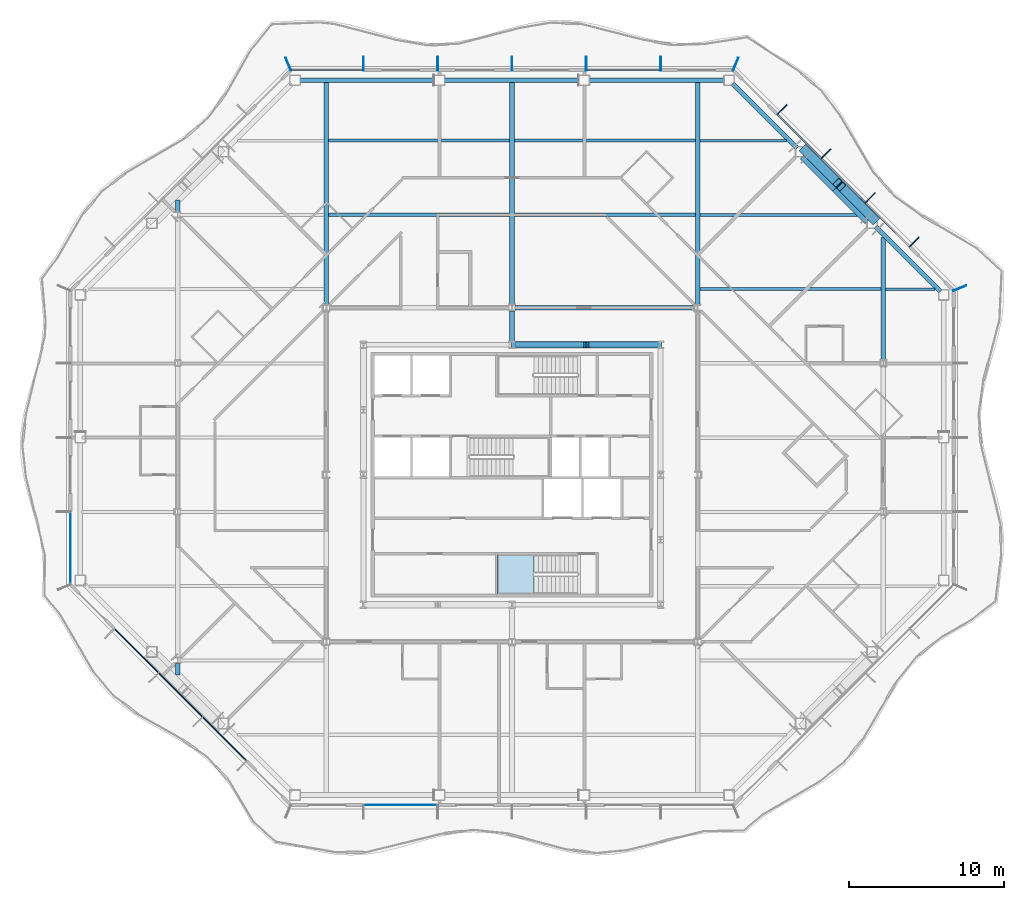
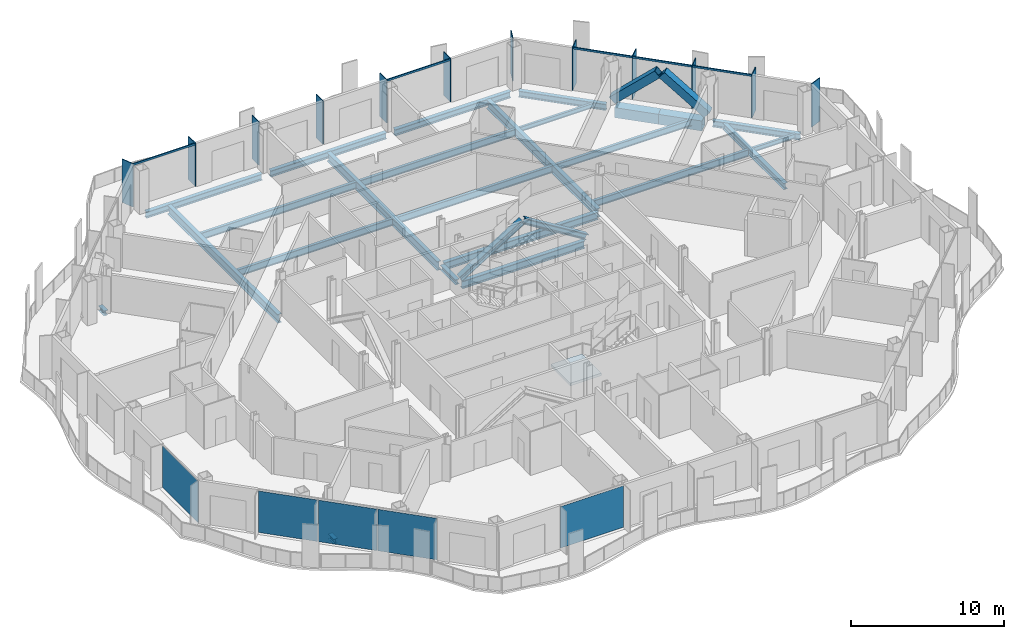
# One storey, part 5 of 21: 24 beams, 21 members, 5 plates, 1 slab, 7 elements without a shape of their own.
"""IFC4 building model written with IfcOpenShell, lengths in metres."""

import ifcopenshell
import ifcopenshell.guid

model = None  # the IFC model being written
_history = None  # IfcOwnerHistory: only IFC2X3 demands one
_inside = {}  # id of a spatial element -> (the spatial element, [elements in it])
_under = {}  # id of a project, library or spatial element -> (it, [spatial elements below it])
_declared = {}  # id of a project -> (the project, [libraries it declares])
_typed = {}  # id of a type object -> (the type object, [elements of that type])
_made_of = {}  # id of a material, layer set ... -> (it, [elements and type objects made of it])


def new_model(schema):
    """Start an empty IFC model of exactly this schema.

    Asked for "IFC4X3", IfcOpenShell would pick the latest addendum, in which some entities
    have other attributes; the version numbers below select the first issue.
    IFC2X3 requires an IfcOwnerHistory on every rooted entity: one is made here for all.
    """
    global model, _history
    if schema == "IFC4X3":
        model = ifcopenshell.file(schema_version=(4, 3, 0, 0))
    else:
        model = ifcopenshell.file(schema=schema)
    _inside.clear()
    _under.clear()
    _declared.clear()
    _typed.clear()
    _made_of.clear()
    _history = None
    if model.schema == "IFC2X3":
        org = make("IfcOrganization", Name="unknown")
        user = make(
            "IfcPersonAndOrganization",
            ThePerson=make("IfcPerson", FamilyName="unknown"),
            TheOrganization=org,
        )
        app = make(
            "IfcApplication",
            ApplicationDeveloper=org,
            Version="unknown",
            ApplicationFullName="unknown",
            ApplicationIdentifier="unknown",
        )
        _history = make(
            "IfcOwnerHistory",
            OwningUser=user,
            OwningApplication=app,
            ChangeAction="ADDED",
            CreationDate=0,
        )
    return model


def make(cls, **values):
    """One entity of the class cls with the attributes given. An attribute that is None is left unset."""
    return model.create_entity(
        cls, **{name: value for name, value in values.items() if value is not None}
    )


def rooted(cls, **values):
    """An entity with a GlobalId (a new one), such as an element, a storey or a relation."""
    return make(cls, GlobalId=ifcopenshell.guid.new(), OwnerHistory=_history, **values)


def si_unit(unit_type, name, prefix=None):
    """IfcSIUnit, for example si_unit("LENGTHUNIT", "METRE", prefix="MILLI")."""
    return make("IfcSIUnit", UnitType=unit_type, Prefix=prefix, Name=name)


def assignment(units):
    """IfcUnitAssignment: the units of a project."""
    return None if units is None else make("IfcUnitAssignment", Units=units)


def point(xyz):
    """IfcCartesianPoint."""
    return None if xyz is None else make("IfcCartesianPoint", Coordinates=xyz)


def direction(xyz):
    """IfcDirection."""
    return None if xyz is None else make("IfcDirection", DirectionRatios=xyz)


def frame(location, z_axis=None, x_axis=None):
    """IfcAxis2Placement3D, a coordinate frame: its origin and axes. An axis left out is left unset."""
    return make(
        "IfcAxis2Placement3D",
        Location=point(location),
        Axis=direction(z_axis),
        RefDirection=direction(x_axis),
    )


def frame_2d(location, x_axis=None):
    """IfcAxis2Placement2D, a coordinate frame in the plane: its origin and x axis."""
    return make(
        "IfcAxis2Placement2D", Location=point(location), RefDirection=direction(x_axis)
    )


def origin():
    """The frame at (0, 0, 0) with its axes left unset."""
    return frame((0.0, 0.0, 0.0))


def origin_2d():
    """The frame at (0, 0) in the plane with its x axis left unset."""
    return frame_2d((0.0, 0.0))


def place(relative_to, where):
    """IfcLocalPlacement: puts the frame where relative to a parent placement (None: the world)."""
    return make(
        "IfcLocalPlacement", PlacementRelTo=relative_to, RelativePlacement=where
    )


def context(
    kind, dimensions, precision=None, world=None, true_north=None, identifier=None
):
    """IfcGeometricRepresentationContext, for example the 3D "Model" context."""
    return make(
        "IfcGeometricRepresentationContext",
        ContextIdentifier=identifier,
        ContextType=kind,
        CoordinateSpaceDimension=dimensions,
        Precision=precision,
        WorldCoordinateSystem=world,
        TrueNorth=true_north,
    )


def subcontext(parent, identifier, kind, view, scale=None):
    """IfcGeometricRepresentationSubContext, for example "Body" below "Model"."""
    return make(
        "IfcGeometricRepresentationSubContext",
        ContextIdentifier=identifier,
        ContextType=kind,
        ParentContext=parent,
        TargetScale=scale,
        TargetView=view,
    )


def project(units=None, contexts=None):
    """IfcProject with its units and contexts."""
    return rooted(
        "IfcProject",
        Name="project",
        RepresentationContexts=contexts,
        UnitsInContext=assignment(units),
    )


def spatial(cls, under=None, at=None, **own):
    """A site, building, storey or space (cls), placed at a placement, below another one or the project."""
    s = rooted(cls, ObjectPlacement=at, **own)
    if under is not None:
        _under.setdefault(under.id(), (under, []))[1].append(s)
    return s


def polyline(points):
    """IfcPolyline through the points."""
    return make("IfcPolyline", Points=[point(p) for p in points])


def profile(cls, at=None, kind="AREA", **sizes):
    """A parametric profile (cls). Its sizes go by their IFC names, for example OverallWidth=200.0."""
    return make(cls, ProfileType=kind, Position=at, **sizes)


def rectangle(**sizes):
    """IfcRectangleProfileDef."""
    return profile("IfcRectangleProfileDef", **sizes)


def hollow_rectangle(**sizes):
    """IfcRectangleHollowProfileDef."""
    return profile("IfcRectangleHollowProfileDef", **sizes)


def i_section(**sizes):
    """IfcIShapeProfileDef."""
    return profile("IfcIShapeProfileDef", **sizes)


def outline(outer, holes=None, kind="AREA"):
    """IfcArbitraryClosedProfileDef: a profile drawn as a closed curve; with holes, ...WithVoids."""
    if holes is None:
        return make("IfcArbitraryClosedProfileDef", ProfileType=kind, OuterCurve=outer)
    return make(
        "IfcArbitraryProfileDefWithVoids",
        ProfileType=kind,
        OuterCurve=outer,
        InnerCurves=holes,
    )


def extrude(swept, where, along, depth):
    """IfcExtrudedAreaSolid: the profile swept, set in the frame where, extruded along a direction by depth."""
    return make(
        "IfcExtrudedAreaSolid",
        SweptArea=swept,
        Position=where,
        ExtrudedDirection=direction(along),
        Depth=depth,
    )


def shape(context_of_items, identifier, shape_type, items):
    """IfcShapeRepresentation: the items that make up one representation, for example the "Body"."""
    return make(
        "IfcShapeRepresentation",
        ContextOfItems=context_of_items,
        RepresentationIdentifier=identifier,
        RepresentationType=shape_type,
        Items=items,
    )


def material(Name=None, Category=None):
    """IfcMaterial."""
    return make("IfcMaterial", Name=Name, Category=Category)


def layer(
    of_material, thickness, ventilated=None, Name=None, Category=None, Priority=None
):
    """IfcMaterialLayer: one layer of a wall or slab, of a material (None: an air gap)."""
    return make(
        "IfcMaterialLayer",
        Material=of_material,
        LayerThickness=thickness,
        IsVentilated=ventilated,
        Name=Name,
        Category=Category,
        Priority=Priority,
    )


def layer_set(layers, Name=None):
    """IfcMaterialLayerSet."""
    return make("IfcMaterialLayerSet", MaterialLayers=layers, LayerSetName=Name)


def material_profile(
    of_material, cross_section, Name=None, Category=None, Priority=None
):
    """IfcMaterialProfile: a cross section and its material."""
    return make(
        "IfcMaterialProfile",
        Name=Name,
        Material=of_material,
        Profile=cross_section,
        Priority=Priority,
        Category=Category,
    )


def profile_set(profiles, Name=None, composite=None):
    """IfcMaterialProfileSet."""
    return make(
        "IfcMaterialProfileSet",
        Name=Name,
        MaterialProfiles=profiles,
        CompositeProfile=composite,
    )


def made_of(thing, what):
    """Note that an element or type object is made of a material, layer set ...; save() writes the relation."""
    if what is not None:
        _made_of.setdefault(what.id(), (what, []))[1].append(thing)
    return thing


def type_object(cls, material=None, **own):
    """A type object (cls), such as IfcWallType, which elements share."""
    return made_of(rooted(cls, **own), material)


def element(
    cls,
    number,
    at=None,
    inside=None,
    cuts=None,
    type_object=None,
    material=None,
    context=None,
    identifier="Body",
    shape_type=None,
    held_by="IfcProductDefinitionShape",
    body=None,
    shapes=None,
    **own,
):
    """One element of the class cls, such as IfcWall. Its Tag is "e" and its number.

    at: its placement. inside: the storey or other place that contains it. cuts: it is an
    opening in that element (IfcRelVoidsElement). A single representation is given by context,
    identifier, shape_type and body (its items); several are given by shapes. held_by: the class
    of the entity that holds the representations. save() writes the other relations.
    """
    e = rooted(cls, Tag="e%d" % number, ObjectPlacement=at, **own)
    if body is not None:
        shapes = [shape(context, identifier, shape_type, body)]
    if shapes is not None:
        e.Representation = make(held_by, Representations=shapes)
    if inside is not None:
        _inside.setdefault(inside.id(), (inside, []))[1].append(e)
    if cuts is not None:
        rooted(
            "IfcRelVoidsElement", RelatingBuildingElement=cuts, RelatedOpeningElement=e
        )
    if type_object is not None:
        _typed.setdefault(type_object.id(), (type_object, []))[1].append(e)
    return made_of(e, material)


def aggregate(whole, parts):
    """IfcRelAggregates: a whole, such as a stair, and the parts it consists of."""
    return rooted("IfcRelAggregates", RelatingObject=whole, RelatedObjects=parts)


def save(model, path):
    """Write the relations noted so far, then the file.

    IfcRelAggregates (storeys below a building ...), IfcRelContainedInSpatialStructure (elements
    in a storey), IfcRelDefinesByType, IfcRelAssociatesMaterial and IfcRelDeclares: one each for
    every whole, place, type object, material and project.
    """
    for whole, parts in _under.values():
        aggregate(whole, parts)
    for where, things in _inside.values():
        rooted(
            "IfcRelContainedInSpatialStructure",
            RelatedElements=things,
            RelatingStructure=where,
        )
    for kind, things in _typed.values():
        rooted("IfcRelDefinesByType", RelatedObjects=things, RelatingType=kind)
    for what, things in _made_of.values():
        rooted("IfcRelAssociatesMaterial", RelatedObjects=things, RelatingMaterial=what)
    for by, libraries in _declared.values():
        rooted("IfcRelDeclares", RelatingContext=by, RelatedDefinitions=libraries)
    model.write(path)


model = new_model("IFC4")

# Units and contexts
model_context = context("Model", 3, precision=1e-05, world=origin(), true_north=direction((0.0, 1.0)))
body_context = subcontext(model_context, "Body", "Model", "MODEL_VIEW")
ifc_project = project(units=[si_unit("LENGTHUNIT", "METRE"), si_unit("AREAUNIT", "SQUARE_METRE"), si_unit("VOLUMEUNIT", "CUBIC_METRE"), si_unit("PLANEANGLEUNIT", "RADIAN"), si_unit("MASSUNIT", "GRAM", prefix="KILO")], contexts=[model_context])

# Site, building, storey
site_placement = place(None, origin())
site = spatial("IfcSite", under=ifc_project, at=site_placement, CompositionType="ELEMENT")
building_placement = place(site_placement, origin())
building = spatial("IfcBuilding", under=site, at=building_placement, Name="Cairn Pilgrim Tower", CompositionType="ELEMENT")
storey_placement = place(building_placement, frame((0.0, 0.0, 132.60009765625)))
storey = spatial("IfcBuildingStorey", under=building, at=storey_placement, Name="L32", CompositionType="ELEMENT", Elevation=132.60009765625)

# Members
ifc_material_1 = material(Name="Structural steel S460M", Category="steel")
ifc_material_profile_1 = material_profile(ifc_material_1, hollow_rectangle(XDim=0.60009765625, YDim=0.60009765625, WallThickness=0.034912109375, at=origin_2d()), Name="BOX 600x600x35")
ifc_profile_set_1 = profile_set([ifc_material_profile_1], Name="Structural steel S460M")
member_type_1 = type_object("IfcMemberType", Name="BOX 600x600x35 BRACE", PredefinedType="BRACE", material=ifc_profile_set_1)
member_1_placement = place(storey_placement, frame((30.613525390625, 18.888427734375, 0.14990234375), z_axis=(-0.53553019501, 0.53553019501, 0.653004456696), x_axis=(-0.707106781187, -0.707106781187, 0.0)))
element("IfcMember", 1, at=member_1_placement, inside=storey, type_object=member_type_1, Name="XB-NE2-NE3-1", PredefinedType="BRACE", context=body_context, shape_type="SweptSolid", body=[
    extrude(hollow_rectangle(XDim=0.60009765625, YDim=0.60009765625, WallThickness=0.034912109375, at=origin_2d()), origin(), (0.0, 0.0, 1.0), 4.035888671875),
])
member_2_placement = place(storey_placement, frame((26.08837890625, 23.41357421875, 0.14990234375), z_axis=(0.535573335815, -0.535512846393, 0.652983302476), x_axis=(0.707066846316, 0.707146713802, 0.0)))
element("IfcMember", 2, at=member_2_placement, inside=storey, type_object=member_type_1, Name="XB-NE2-NE3-2", PredefinedType="BRACE", context=body_context, shape_type="SweptSolid", body=[
    extrude(hollow_rectangle(XDim=0.60009765625, YDim=0.60009765625, WallThickness=0.034912109375, at=origin_2d()), origin(), (0.0, 0.0, 1.0), 4.0361328125),
])

# Beams
ifc_material_2 = material(Name="Structural steel S355J2", Category="steel")
ifc_material_profile_2 = material_profile(ifc_material_2, hollow_rectangle(XDim=0.699951171875, YDim=0.800048828125, WallThickness=0.0400390625, at=origin_2d()), Name="BOX 700x800x40")
ifc_profile_set_2 = profile_set([ifc_material_profile_2], Name="Structural steel S355J2")
beam_type_1 = type_object("IfcBeamType", Name="BOX 700x800x40 RING GIRDER", PredefinedType="SPANDREL", material=ifc_profile_set_2)
for number, where, z_axis, x_axis, name in (
    (3, (30.2529296875, 18.874267578125, -0.550048828125), (-0.707106781187, 0.707106781187, 0.0), (-0.707106781187, -0.707106781187, 0.0), "RG2-NE2-NE3-1"),
    (4, (28.16357421875, 20.963623046875, -0.550048828125), (-0.707106781187, 0.707106781187, 0.0), (-0.707106781187, -0.707106781187, 0.0), "RG2-NE2-NE3-2"),
):
    element("IfcBeam", number, at=place(storey_placement, frame(where, z_axis=z_axis, x_axis=x_axis)), inside=storey, type_object=beam_type_1, Name=name, PredefinedType="SPANDREL", context=body_context, shape_type="SweptSolid", body=[
        extrude(hollow_rectangle(XDim=0.699951171875, YDim=0.800048828125, WallThickness=0.0400390625, at=origin_2d()), origin(), (0.0, 0.0, 1.0), 2.954833984375),
    ])

# Curtain wall, members
ifc_material_3 = material(Name="Aluminium alloy 6063-T6 bronze anodised with Bronze tinted laminated low-E glass 8+16+8.8", Category="aluminium")
curtain_wall_type_1 = type_object("IfcCurtainWallType", Name="CHAMFER CORNER CURTAIN WALL", PredefinedType="NOTDEFINED", material=ifc_material_3)
curtain_wall_1_placement = place(storey_placement, origin())
curtain_wall_1 = element("IfcCurtainWall", 5, at=curtain_wall_1_placement, inside=storey, type_object=curtain_wall_type_1, Name="Chamfer Corner Curtain Wall NE", PredefinedType="NOTDEFINED")
ifc_material_4 = material(Name="Aluminium alloy 6063-T6 bronze anodised", Category="aluminium")
ifc_material_profile_3 = material_profile(ifc_material_4, rectangle(XDim=0.89990234375, YDim=0.06005859375, at=origin_2d()), Name="FIN MULLION 60x900 BRONZE")
ifc_profile_set_3 = profile_set([ifc_material_profile_3], Name="Aluminium alloy 6063-T6 bronze anodised")
member_type_2 = type_object("IfcMemberType", Name="FIN MULLION 60x900 BRONZE", PredefinedType="MULLION", material=ifc_profile_set_3)
member_3_placement = place(storey_placement, frame((36.137939453125, 14.457275390625, 0.0), z_axis=(0.0, 0.0, 1.0), x_axis=(0.923879532511, 0.382683432365, 0.0)))
member_3 = element("IfcMember", 6, at=member_3_placement, type_object=member_type_2, Name="Fin mullion NE1", PredefinedType="MULLION", context=body_context, shape_type="SweptSolid", body=[
    extrude(rectangle(XDim=0.89990234375, YDim=0.06005859375, at=origin_2d()), origin(), (0.0, 0.0, 1.0), 3.449951171875),
])
member_4_placement = place(storey_placement, frame((33.1962890625, 17.444091796875, 0.0), z_axis=(0.0, 0.0, 1.0), x_axis=(0.707106781187, 0.707106781187, 0.0)))
member_4 = element("IfcMember", 7, at=member_4_placement, type_object=member_type_2, Name="Fin mullion NE2", PredefinedType="MULLION", context=body_context, shape_type="SweptSolid", body=[
    extrude(rectangle(XDim=0.89990234375, YDim=0.06005859375, at=origin_2d()), origin(), (0.0, 0.0, 1.0), 3.449951171875),
])
member_5_placement = place(storey_placement, frame((30.345458984375, 20.294921875, 0.0), z_axis=(0.0, 0.0, 1.0), x_axis=(0.707106781187, 0.707106781187, 0.0)))
member_5 = element("IfcMember", 8, at=member_5_placement, type_object=member_type_2, Name="Fin mullion NE3", PredefinedType="MULLION", context=body_context, shape_type="SweptSolid", body=[
    extrude(rectangle(XDim=0.89990234375, YDim=0.06005859375, at=origin_2d()), origin(), (0.0, 0.0, 1.0), 3.449951171875),
])
member_6_placement = place(storey_placement, frame((27.494873046875, 23.1455078125, 0.0), z_axis=(0.0, 0.0, 1.0), x_axis=(0.707106781187, 0.707106781187, 0.0)))
member_6 = element("IfcMember", 9, at=member_6_placement, type_object=member_type_2, Name="Fin mullion NE4", PredefinedType="MULLION", context=body_context, shape_type="SweptSolid", body=[
    extrude(rectangle(XDim=0.89990234375, YDim=0.06005859375, at=origin_2d()), origin(), (0.0, 0.0, 1.0), 3.449951171875),
])
member_7_placement = place(storey_placement, frame((24.64404296875, 25.996337890625, 0.0), z_axis=(0.0, 0.0, 1.0), x_axis=(0.707106781187, 0.707106781187, 0.0)))
member_7 = element("IfcMember", 10, at=member_7_placement, type_object=member_type_2, Name="Fin mullion NE5", PredefinedType="MULLION", context=body_context, shape_type="SweptSolid", body=[
    extrude(rectangle(XDim=0.89990234375, YDim=0.06005859375, at=origin_2d()), origin(), (0.0, 0.0, 1.0), 3.449951171875),
])

curtain_wall_type_2 = type_object("IfcCurtainWallType", Name="TOWER STICK CURTAIN WALL NS", PredefinedType="NOTDEFINED", material=ifc_material_3)
curtain_wall_2_placement = place(storey_placement, origin())
curtain_wall_2 = element("IfcCurtainWall", 11, at=curtain_wall_2_placement, inside=storey, type_object=curtain_wall_type_2, Name="Tower Stick Curtain Wall Ns N", PredefinedType="NOTDEFINED")
member_8_placement = place(storey_placement, frame((21.6572265625, 28.93798828125, 0.0), z_axis=(0.0, 0.0, 1.0), x_axis=(0.382683432365, 0.923879532511, 0.0)))
member_8 = element("IfcMember", 12, at=member_8_placement, type_object=member_type_2, Name="Fin mullion N1", PredefinedType="MULLION", context=body_context, shape_type="SweptSolid", body=[
    extrude(rectangle(XDim=0.89990234375, YDim=0.06005859375, at=origin_2d()), origin(), (0.0, 0.0, 1.0), 3.449951171875),
])
member_9_placement = place(storey_placement, frame((16.800048828125, 28.969970703125, 0.0), z_axis=(0.0, 0.0, 1.0), x_axis=(0.0, 1.0, 0.0)))
member_9 = element("IfcMember", 13, at=member_9_placement, type_object=member_type_2, Name="Fin mullion N2", PredefinedType="MULLION", context=body_context, shape_type="SweptSolid", body=[
    extrude(rectangle(XDim=0.89990234375, YDim=0.06005859375, at=origin_2d()), origin(), (0.0, 0.0, 1.0), 3.449951171875),
])
member_10_placement = place(storey_placement, frame((12.0, 28.969970703125, 0.0), z_axis=(0.0, 0.0, 1.0), x_axis=(0.0, 1.0, 0.0)))
member_10 = element("IfcMember", 14, at=member_10_placement, type_object=member_type_2, Name="Fin mullion N3", PredefinedType="MULLION", context=body_context, shape_type="SweptSolid", body=[
    extrude(rectangle(XDim=0.89990234375, YDim=0.06005859375, at=origin_2d()), origin(), (0.0, 0.0, 1.0), 3.449951171875),
])
member_11_placement = place(storey_placement, frame((7.199951171875, 28.969970703125, 0.0), z_axis=(0.0, 0.0, 1.0), x_axis=(0.0, 1.0, 0.0)))
member_11 = element("IfcMember", 15, at=member_11_placement, type_object=member_type_2, Name="Fin mullion N4", PredefinedType="MULLION", context=body_context, shape_type="SweptSolid", body=[
    extrude(rectangle(XDim=0.89990234375, YDim=0.06005859375, at=origin_2d()), origin(), (0.0, 0.0, 1.0), 3.449951171875),
])
member_12_placement = place(storey_placement, frame((2.39990234375, 28.969970703125, 0.0), z_axis=(0.0, 0.0, 1.0), x_axis=(0.0, 1.0, 0.0)))
member_12 = element("IfcMember", 16, at=member_12_placement, type_object=member_type_2, Name="Fin mullion N5", PredefinedType="MULLION", context=body_context, shape_type="SweptSolid", body=[
    extrude(rectangle(XDim=0.89990234375, YDim=0.06005859375, at=origin_2d()), origin(), (0.0, 0.0, 1.0), 3.449951171875),
])
member_13_placement = place(storey_placement, frame((-2.39990234375, 28.969970703125, 0.0), z_axis=(0.0, 0.0, 1.0), x_axis=(0.0, 1.0, 0.0)))
member_13 = element("IfcMember", 17, at=member_13_placement, type_object=member_type_2, Name="Fin mullion N6", PredefinedType="MULLION", context=body_context, shape_type="SweptSolid", body=[
    extrude(rectangle(XDim=0.89990234375, YDim=0.06005859375, at=origin_2d()), origin(), (0.0, 0.0, 1.0), 3.449951171875),
])

# Curtain wall, member
curtain_wall_3_placement = place(storey_placement, origin())
curtain_wall_3 = element("IfcCurtainWall", 18, at=curtain_wall_3_placement, inside=storey, type_object=curtain_wall_type_1, Name="Chamfer Corner Curtain Wall NW", PredefinedType="NOTDEFINED")
member_14_placement = place(storey_placement, frame((-7.257080078125, 28.93798828125, 0.0), z_axis=(0.0, 0.0, 1.0), x_axis=(-0.382683432365, 0.923879532511, 0.0)))
member_14 = element("IfcMember", 19, at=member_14_placement, type_object=member_type_2, Name="Fin mullion NW1", PredefinedType="MULLION", context=body_context, shape_type="SweptSolid", body=[
    extrude(rectangle(XDim=0.89990234375, YDim=0.06005859375, at=origin_2d()), origin(), (0.0, 0.0, 1.0), 3.449951171875),
])
aggregate(curtain_wall_3, [member_14])

# Members
ifc_material_profile_4 = material_profile(ifc_material_1, i_section(OverallWidth=0.408935546875, OverallDepth=0.425048828125, WebThickness=0.03271484375, FlangeThickness=0.052490234375, FilletRadius=0.014892578125, at=origin_2d()), Name="HD 400x421")
ifc_profile_set_4 = profile_set([ifc_material_profile_4], Name="Structural steel S460M")
member_type_3 = type_object("IfcMemberType", Name="HD 400x421 BRACE", PredefinedType="BRACE", material=ifc_profile_set_4)
for number, where, z_axis, x_axis, name in (
    (20, (16.757568359375, 10.800048828125, 0.099853515625), (-0.851063308605, 0.0, 0.525063086444), (0.0, -1.0, 0.0), "KB-3A"),
    (21, (7.242431640625, 10.800048828125, 0.099853515625), (0.851063308605, 0.0, 0.525063086444), (0.0, 1.0, 0.0), "KB-3B"),
):
    element("IfcMember", number, at=place(storey_placement, frame(where, z_axis=z_axis, x_axis=x_axis)), inside=storey, type_object=member_type_3, Name=name, PredefinedType="BRACE", context=body_context, shape_type="SweptSolid", body=[
        extrude(i_section(OverallWidth=0.408935546875, OverallDepth=0.425048828125, WebThickness=0.03271484375, FlangeThickness=0.052490234375, FilletRadius=0.014892578125, at=origin_2d()), origin(), (0.0, 0.0, 1.0), 5.527587890625),
    ])

# Beams
ifc_material_profile_5 = material_profile(ifc_material_2, i_section(OverallWidth=0.300048828125, OverallDepth=0.39990234375, WebThickness=0.013427734375, FlangeThickness=0.02392578125, FilletRadius=0.027099609375, at=origin_2d()), Name="HEB 400")
ifc_profile_set_5 = profile_set([ifc_material_profile_5], Name="Structural steel S355J2")
beam_type_2 = type_object("IfcBeamType", Name="HEB 400 GIRDER", PredefinedType="BEAM", material=ifc_profile_set_5)
for number, where, z_axis, x_axis, name in (
    (22, (-14.39990234375, -10.545166015625, -0.35009765625), (0.0, 1.0, 0.0), (-1.0, 0.0, 0.0), "PG1-E1"),
    (23, (-14.39990234375, 19.3994140625, -0.35009765625), (0.0, 1.0, 0.0), (-1.0, 0.0, 0.0), "PG1-E2"),
):
    element("IfcBeam", number, at=place(storey_placement, frame(where, z_axis=z_axis, x_axis=x_axis)), inside=storey, type_object=beam_type_2, Name=name, PredefinedType="BEAM", context=body_context, shape_type="SweptSolid", body=[
        extrude(i_section(OverallWidth=0.300048828125, OverallDepth=0.39990234375, WebThickness=0.013427734375, FlangeThickness=0.02392578125, FilletRadius=0.027099609375, at=origin_2d()), origin(), (0.0, 0.0, 1.0), 0.74560546875),
    ])
beam_1_placement = place(storey_placement, frame((7.199951171875, 11.011962890625, -0.35009765625), z_axis=(0.0, 1.0, 0.0), x_axis=(-1.0, 0.0, 0.0)))
element("IfcBeam", 24, at=beam_1_placement, inside=storey, type_object=beam_type_2, Name="PG3-E2", PredefinedType="BEAM", context=body_context, shape_type="SweptSolid", body=[
    extrude(i_section(OverallWidth=0.300048828125, OverallDepth=0.39990234375, WebThickness=0.013427734375, FlangeThickness=0.02392578125, FilletRadius=0.027099609375, at=origin_2d()), origin(), (0.0, 0.0, 1.0), 1.983642578125),
])
ifc_material_profile_6 = material_profile(ifc_material_2, i_section(OverallWidth=0.300048828125, OverallDepth=0.5, WebThickness=0.014404296875, FlangeThickness=0.028076171875, FilletRadius=0.027099609375, at=origin_2d()), Name="HEB 500")
ifc_profile_set_6 = profile_set([ifc_material_profile_6], Name="Structural steel S355J2")
beam_type_3 = type_object("IfcBeamType", Name="HEB 500 GIRDER", PredefinedType="BEAM", material=ifc_profile_set_6)
beam_2_placement = place(storey_placement, frame((31.199951171875, 9.804443359375, -0.400146484375), z_axis=(0.0, 1.0, 0.0), x_axis=(-1.0, 0.0, 0.0)))
element("IfcBeam", 25, at=beam_2_placement, inside=storey, type_object=beam_type_3, Name="PG5-3", PredefinedType="BEAM", context=body_context, shape_type="SweptSolid", body=[
    extrude(i_section(OverallWidth=0.300048828125, OverallDepth=0.5, WebThickness=0.014404296875, FlangeThickness=0.028076171875, FilletRadius=0.027099609375, at=origin_2d()), origin(), (0.0, 0.0, 1.0), 7.940673828125),
])
ifc_material_profile_7 = material_profile(ifc_material_2, i_section(OverallWidth=0.300048828125, OverallDepth=0.5, WebThickness=0.014404296875, FlangeThickness=0.028076171875, FilletRadius=0.027099609375, at=origin_2d()), Name="HEB 500")
ifc_profile_set_7 = profile_set([ifc_material_profile_7], Name="Structural steel S355J2")
beam_type_4 = type_object("IfcBeamType", Name="HEB 500 RING GIRDER", PredefinedType="SPANDREL", material=ifc_profile_set_7)
for number, where, z_axis, x_axis, name in (
    (26, (34.877197265625, 14.25, -0.400146484375), (-0.707106781187, 0.707106781187, 0.0), (-0.707106781187, -0.707106781187, 0.0), "RG2-NE1-NE2"),
    (27, (25.628662109375, 23.49853515625, -0.400146484375), (-0.707106781187, 0.707106781187, 0.0), (-0.707106781187, -0.707106781187, 0.0), "RG2-NE3-N1"),
):
    element("IfcBeam", number, at=place(storey_placement, frame(where, z_axis=z_axis, x_axis=x_axis)), inside=storey, type_object=beam_type_4, Name=name, PredefinedType="SPANDREL", context=body_context, shape_type="SweptSolid", body=[
        extrude(i_section(OverallWidth=0.300048828125, OverallDepth=0.5, WebThickness=0.014404296875, FlangeThickness=0.028076171875, FilletRadius=0.027099609375, at=origin_2d()), origin(), (0.0, 0.0, 1.0), 5.90966796875),
    ])
for number, where, z_axis, x_axis, name in (
    (28, (20.912109375, 27.89990234375, -0.400146484375), (-1.0, 0.0, 0.0), (0.0, -1.0, 0.0), "RG2-N1-N2"),
    (29, (11.560791015625, 27.89990234375, -0.400146484375), (-1.0, 0.0, 0.0), (0.0, -1.0, 0.0), "RG2-N2-N3"),
    (30, (2.209228515625, 27.89990234375, -0.400146484375), (-1.0, 0.0, 0.0), (0.0, -1.0, 0.0), "RG2-N3-NW1"),
):
    element("IfcBeam", number, at=place(storey_placement, frame(where, z_axis=z_axis, x_axis=x_axis)), inside=storey, type_object=beam_type_4, Name=name, PredefinedType="SPANDREL", context=body_context, shape_type="SweptSolid", body=[
        extrude(i_section(OverallWidth=0.300048828125, OverallDepth=0.5, WebThickness=0.014404296875, FlangeThickness=0.028076171875, FilletRadius=0.027099609375, at=origin_2d()), origin(), (0.0, 0.0, 1.0), 8.721435546875),
    ])
ifc_material_profile_8 = material_profile(ifc_material_2, i_section(OverallWidth=0.300048828125, OverallDepth=0.60009765625, WebThickness=0.015380859375, FlangeThickness=0.030029296875, FilletRadius=0.027099609375, at=origin_2d()), Name="HEB 600")
ifc_profile_set_8 = profile_set([ifc_material_profile_8], Name="Structural steel S355J2")
beam_type_5 = type_object("IfcBeamType", Name="HEB 600 CORE BEAM", PredefinedType="BEAM", material=ifc_profile_set_8)
beam_3_placement = place(storey_placement, frame((16.609130859375, 10.800048828125, -0.4501953125), z_axis=(-1.0, 0.0, 0.0), x_axis=(0.0, -1.0, 0.0)))
element("IfcBeam", 31, at=beam_3_placement, inside=storey, type_object=beam_type_5, Name="CB-5", PredefinedType="BEAM", context=body_context, shape_type="SweptSolid", body=[
    extrude(i_section(OverallWidth=0.300048828125, OverallDepth=0.60009765625, WebThickness=0.015380859375, FlangeThickness=0.030029296875, FilletRadius=0.027099609375, at=origin_2d()), origin(), (0.0, 0.0, 1.0), 9.21826171875),
])
ifc_material_profile_9 = material_profile(ifc_material_2, i_section(OverallWidth=0.300048828125, OverallDepth=0.60009765625, WebThickness=0.015380859375, FlangeThickness=0.030029296875, FilletRadius=0.027099609375, at=origin_2d()), Name="HEB 600")
ifc_profile_set_9 = profile_set([ifc_material_profile_9], Name="Structural steel S355J2")
beam_type_6 = type_object("IfcBeamType", Name="HEB 600 INNER GIRDER", PredefinedType="BEAM", material=ifc_profile_set_9)
beam_4_placement = place(storey_placement, frame((7.404541015625, 13.199951171875, -0.4501953125), z_axis=(1.0, 0.0, 0.0), x_axis=(0.0, 1.0, 0.0)))
element("IfcBeam", 32, at=beam_4_placement, inside=storey, type_object=beam_type_6, Name="IG2-2", PredefinedType="BEAM", context=body_context, shape_type="SweptSolid", body=[
    extrude(i_section(OverallWidth=0.300048828125, OverallDepth=0.60009765625, WebThickness=0.015380859375, FlangeThickness=0.030029296875, FilletRadius=0.027099609375, at=origin_2d()), origin(), (0.0, 0.0, 1.0), 11.591064453125),
])
ifc_material_profile_10 = material_profile(ifc_material_2, i_section(OverallWidth=0.300048828125, OverallDepth=0.699951171875, WebThickness=0.01708984375, FlangeThickness=0.031982421875, FilletRadius=0.027099609375, at=origin_2d()), Name="HEB 700")
ifc_profile_set_10 = profile_set([ifc_material_profile_10], Name="Structural steel S355J2")
beam_type_7 = type_object("IfcBeamType", Name="HEB 700 GIRDER", PredefinedType="BEAM", material=ifc_profile_set_10)
for number, where, z_axis, x_axis, name in (
    (33, (-4.800048828125, 13.404541015625, -0.5), (0.0, 1.0, 0.0), (-1.0, 0.0, 0.0), "PG2-4"),
    (34, (7.199951171875, 13.404541015625, -0.5), (0.0, 1.0, 0.0), (-1.0, 0.0, 0.0), "PG3-2"),
    (35, (19.199951171875, 13.404541015625, -0.5), (0.0, 1.0, 0.0), (-1.0, 0.0, 0.0), "PG4-4"),
):
    element("IfcBeam", number, at=place(storey_placement, frame(where, z_axis=z_axis, x_axis=x_axis)), inside=storey, type_object=beam_type_7, Name=name, PredefinedType="BEAM", context=body_context, shape_type="SweptSolid", body=[
        extrude(i_section(OverallWidth=0.300048828125, OverallDepth=0.699951171875, WebThickness=0.01708984375, FlangeThickness=0.031982421875, FilletRadius=0.027099609375, at=origin_2d()), origin(), (0.0, 0.0, 1.0), 14.37548828125),
    ])
ifc_material_profile_11 = material_profile(ifc_material_2, i_section(OverallWidth=0.169921875, OverallDepth=0.360107421875, WebThickness=0.008056640625, FlangeThickness=0.0126953125, FilletRadius=0.01806640625, at=origin_2d()), Name="IPE 360")
ifc_profile_set_11 = profile_set([ifc_material_profile_11], Name="Structural steel S355J2")
beam_type_8 = type_object("IfcBeamType", Name="IPE 360 SECONDARY BEAM", PredefinedType="JOIST", material=ifc_profile_set_11)
beam_5_placement = place(storey_placement, frame((31.35009765625, 14.39990234375, -0.330078125), z_axis=(1.0, 0.0, 0.0), x_axis=(0.0, 1.0, 0.0)))
element("IfcBeam", 36, at=beam_5_placement, inside=storey, type_object=beam_type_8, Name="SB7-4", PredefinedType="JOIST", context=body_context, shape_type="SweptSolid", body=[
    extrude(i_section(OverallWidth=0.169921875, OverallDepth=0.360107421875, WebThickness=0.008056640625, FlangeThickness=0.0126953125, FilletRadius=0.01806640625, at=origin_2d()), origin(), (0.0, 0.0, 1.0), 3.195068359375),
])
beam_6_placement = place(storey_placement, frame((19.35009765625, 24.0, -0.330078125), z_axis=(1.0, 0.0, 0.0), x_axis=(0.0, 1.0, 0.0)))
element("IfcBeam", 37, at=beam_6_placement, inside=storey, type_object=beam_type_8, Name="SB9-4", PredefinedType="JOIST", context=body_context, shape_type="SweptSolid", body=[
    extrude(i_section(OverallWidth=0.169921875, OverallDepth=0.360107421875, WebThickness=0.008056640625, FlangeThickness=0.0126953125, FilletRadius=0.01806640625, at=origin_2d()), origin(), (0.0, 0.0, 1.0), 5.594970703125),
])
ifc_material_profile_12 = material_profile(ifc_material_2, i_section(OverallWidth=0.199951171875, OverallDepth=0.5, WebThickness=0.01025390625, FlangeThickness=0.01611328125, FilletRadius=0.02099609375, at=origin_2d()), Name="IPE 500")
ifc_profile_set_12 = profile_set([ifc_material_profile_12], Name="Structural steel S355J2")
beam_type_9 = type_object("IfcBeamType", Name="IPE 500 SECONDARY BEAM", PredefinedType="JOIST", material=ifc_profile_set_12)
beam_7_placement = place(storey_placement, frame((19.35009765625, 19.199951171875, -0.400146484375), z_axis=(1.0, 0.0, 0.0), x_axis=(0.0, 1.0, 0.0)))
element("IfcBeam", 38, at=beam_7_placement, inside=storey, type_object=beam_type_9, Name="SB8-4", PredefinedType="JOIST", context=body_context, shape_type="SweptSolid", body=[
    extrude(i_section(OverallWidth=0.199951171875, OverallDepth=0.5, WebThickness=0.01025390625, FlangeThickness=0.01611328125, FilletRadius=0.02099609375, at=origin_2d()), origin(), (0.0, 0.0, 1.0), 10.39501953125),
])
ifc_material_profile_13 = material_profile(ifc_material_2, i_section(OverallWidth=0.2099609375, OverallDepth=0.550048828125, WebThickness=0.010986328125, FlangeThickness=0.01708984375, FilletRadius=0.02392578125, at=origin_2d()), Name="IPE 550")
ifc_profile_set_13 = profile_set([ifc_material_profile_13], Name="Structural steel S355J2")
beam_type_10 = type_object("IfcBeamType", Name="IPE 550 SECONDARY BEAM", PredefinedType="JOIST", material=ifc_profile_set_13)
for number, where, z_axis, x_axis, name in (
    (39, (19.35009765625, 14.39990234375, -0.425048828125), (1.0, 0.0, 0.0), (0.0, 1.0, 0.0), "SB7-3"),
    (40, (-4.64990234375, 19.199951171875, -0.425048828125), (1.0, 0.0, 0.0), (0.0, 1.0, 0.0), "SB8-2"),
    (41, (7.35009765625, 19.199951171875, -0.425048828125), (1.0, 0.0, 0.0), (0.0, 1.0, 0.0), "SB8-3"),
    (42, (-4.64990234375, 24.0, -0.425048828125), (1.0, 0.0, 0.0), (0.0, 1.0, 0.0), "SB9-2"),
    (43, (7.35009765625, 24.0, -0.425048828125), (1.0, 0.0, 0.0), (0.0, 1.0, 0.0), "SB9-3"),
):
    element("IfcBeam", number, at=place(storey_placement, frame(where, z_axis=z_axis, x_axis=x_axis)), inside=storey, type_object=beam_type_10, Name=name, PredefinedType="JOIST", context=body_context, shape_type="SweptSolid", body=[
        extrude(i_section(OverallWidth=0.2099609375, OverallDepth=0.550048828125, WebThickness=0.010986328125, FlangeThickness=0.01708984375, FilletRadius=0.02392578125, at=origin_2d()), origin(), (0.0, 0.0, 1.0), 11.699951171875),
    ])

# Member
ifc_material_profile_14 = material_profile(ifc_material_4, rectangle(XDim=0.080078125, YDim=0.14990234375, at=origin_2d()), Name="TRANSOM 80x150 BRONZE")
ifc_profile_set_14 = profile_set([ifc_material_profile_14], Name="Aluminium alloy 6063-T6 bronze anodised")
member_type_4 = type_object("IfcMemberType", Name="TRANSOM 80x150 BRONZE", PredefinedType="USERDEFINED", material=ifc_profile_set_14)
member_15_placement = place(storey_placement, frame((32.878173828125, 17.16845703125, 3.375), z_axis=(-0.70713751761, 0.707076043427, 0.0), x_axis=(-0.707076043427, -0.70713751761, 0.0)))
member_15 = element("IfcMember", 44, at=member_15_placement, type_object=member_type_4, Name="Transom NE2", ObjectType="TRANSOM", PredefinedType="USERDEFINED", context=body_context, shape_type="SweptSolid", body=[
    extrude(rectangle(XDim=0.080078125, YDim=0.14990234375, at=origin_2d()), origin(), (0.0, 0.0, 1.0), 3.971435546875),
])

member_16_placement = place(storey_placement, frame((30.02734375, 20.01904296875, 3.375), z_axis=(-0.707106781187, 0.707106781187, 0.0), x_axis=(-0.707106781187, -0.707106781187, 0.0)))
member_16 = element("IfcMember", 45, at=member_16_placement, type_object=member_type_4, Name="Transom NE3", ObjectType="TRANSOM", PredefinedType="USERDEFINED", context=body_context, shape_type="SweptSolid", body=[
    extrude(rectangle(XDim=0.080078125, YDim=0.14990234375, at=origin_2d()), origin(), (0.0, 0.0, 1.0), 3.9716796875),
])

member_17_placement = place(storey_placement, frame((27.1767578125, 22.869873046875, 3.375), z_axis=(-0.70713751761, 0.707076043427, 0.0), x_axis=(-0.707076043427, -0.70713751761, 0.0)))
member_17 = element("IfcMember", 46, at=member_17_placement, type_object=member_type_4, Name="Transom NE4", ObjectType="TRANSOM", PredefinedType="USERDEFINED", context=body_context, shape_type="SweptSolid", body=[
    extrude(rectangle(XDim=0.080078125, YDim=0.14990234375, at=origin_2d()), origin(), (0.0, 0.0, 1.0), 3.971435546875),
])

aggregate(curtain_wall_1, [member_3, member_4, member_5, member_6, member_7, member_15, member_16, member_17])

member_18_placement = place(storey_placement, frame((16.77001953125, 28.550048828125, 3.375), z_axis=(-1.0, 0.0, 0.0), x_axis=(0.0, -1.0, 0.0)))
member_18 = element("IfcMember", 47, at=member_18_placement, type_object=member_type_4, Name="Transom N2", ObjectType="TRANSOM", PredefinedType="USERDEFINED", context=body_context, shape_type="SweptSolid", body=[
    extrude(rectangle(XDim=0.080078125, YDim=0.14990234375, at=origin_2d()), origin(), (0.0, 0.0, 1.0), 4.739990234375),
])

member_19_placement = place(storey_placement, frame((-2.429931640625, 28.550048828125, 3.375), z_axis=(-1.0, 0.0, 0.0), x_axis=(0.0, -1.0, 0.0)))
member_19 = element("IfcMember", 48, at=member_19_placement, type_object=member_type_4, Name="Transom N6", ObjectType="TRANSOM", PredefinedType="USERDEFINED", context=body_context, shape_type="SweptSolid", body=[
    extrude(rectangle(XDim=0.080078125, YDim=0.14990234375, at=origin_2d()), origin(), (0.0, 0.0, 1.0), 4.62646484375),
])

aggregate(curtain_wall_2, [member_8, member_9, member_10, member_11, member_12, member_13, member_18, member_19])

# Curtain wall, plates
curtain_wall_4_placement = place(storey_placement, origin())
curtain_wall_4 = element("IfcCurtainWall", 49, at=curtain_wall_4_placement, inside=storey, type_object=curtain_wall_type_1, Name="Chamfer Corner Curtain Wall SW", PredefinedType="NOTDEFINED")
ifc_material_5 = material(Name="Bronze anodised aluminium spandrel panel with mineral wool insulation", Category="aluminium")
ifc_layer_1 = layer(ifc_material_5, 0.06005859375)
ifc_layer_set_1 = layer_set([ifc_layer_1], Name="SPANDREL PANEL 3972x3300")
plate_type_1 = type_object("IfcPlateType", Name="SPANDREL PANEL 3972x3300", PredefinedType="CURTAIN_PANEL", material=ifc_layer_set_1)
plate_1_placement = place(storey_placement, frame((-17.073974609375, -8.972412109375, 0.0), z_axis=(0.0, 0.0, 1.0), x_axis=(0.707106781187, -0.707106781187, 0.0)))
plate_1 = element("IfcPlate", 50, at=plate_1_placement, type_object=plate_type_1, Name="Spandrel Panel SW2-1", PredefinedType="CURTAIN_PANEL", context=body_context, shape_type="SweptSolid", body=[
    extrude(rectangle(XDim=3.971435546875, YDim=0.06005859375, at=origin_2d()), origin(), (0.0, 0.0, 1.0), 3.300048828125),
])
plate_2_placement = place(storey_placement, frame((-14.22314453125, -11.8232421875, 0.0), z_axis=(0.0, 0.0, 1.0), x_axis=(0.707106781187, -0.707106781187, 0.0)))
plate_2 = element("IfcPlate", 51, at=plate_2_placement, type_object=plate_type_1, Name="Spandrel Panel SW3-1", PredefinedType="CURTAIN_PANEL", context=body_context, shape_type="SweptSolid", body=[
    extrude(rectangle(XDim=3.971435546875, YDim=0.06005859375, at=origin_2d()), origin(), (0.0, 0.0, 1.0), 3.300048828125),
])
plate_3_placement = place(storey_placement, frame((-11.37255859375, -14.673828125, 0.0), z_axis=(0.0, 0.0, 1.0), x_axis=(0.707106781187, -0.707106781187, 0.0)))
plate_3 = element("IfcPlate", 52, at=plate_3_placement, type_object=plate_type_1, Name="Spandrel Panel SW4-1", PredefinedType="CURTAIN_PANEL", context=body_context, shape_type="SweptSolid", body=[
    extrude(rectangle(XDim=3.971435546875, YDim=0.06005859375, at=origin_2d()), origin(), (0.0, 0.0, 1.0), 3.300048828125),
])
aggregate(curtain_wall_4, [plate_1, plate_2, plate_3])

# Stair, slab
ifc_material_6 = material(Name="Concrete C32/40", Category="concrete")
stair_type = type_object("IfcStairType", Name="EXIT STAIR 1200", PredefinedType="HALF_TURN_STAIR", material=ifc_material_6)
stair_placement = place(storey_placement, origin())
stair = element("IfcStair", 53, at=stair_placement, inside=storey, type_object=stair_type, Name="L32 Exit Stair A", PredefinedType="HALF_TURN_STAIR")
ifc_layer_2 = layer(ifc_material_6, 0.199951171875)
ifc_layer_set_2 = layer_set([ifc_layer_2], Name="STAIR LANDING 200")
slab_type = type_object("IfcSlabType", Name="STAIR LANDING 200", PredefinedType="LANDING", material=ifc_layer_set_2)
slab_placement = place(storey_placement, frame((0.0, 0.0, 1.599853515625)))
slab = element("IfcSlab", 54, at=slab_placement, type_object=slab_type, Name="ST-A landing 1", PredefinedType="LANDING", context=body_context, shape_type="SweptSolid", body=[
    extrude(outline(polyline([(8.625, -2.77490234375), (6.27490234375, -2.77490234375), (6.27490234375, -5.300048828125), (8.625, -5.300048828125), (8.625, -2.77490234375)])), origin(), (0.0, 0.0, 1.0), 0.199951171875),
])
aggregate(stair, [slab])

# Curtain wall, plate
curtain_wall_type_3 = type_object("IfcCurtainWallType", Name="TOWER STICK CURTAIN WALL EW", PredefinedType="NOTDEFINED", material=ifc_material_3)
curtain_wall_5_placement = place(storey_placement, origin())
curtain_wall_5 = element("IfcCurtainWall", 55, at=curtain_wall_5_placement, inside=storey, type_object=curtain_wall_type_3, Name="Tower Stick Curtain Wall Ew W", PredefinedType="NOTDEFINED")
ifc_material_7 = material(Name="Bronze tinted laminated low-E glass 8+16+8.8", Category="glass")
ifc_layer_3 = layer(ifc_material_7, 0.033935546875)
ifc_layer_set_3 = layer_set([ifc_layer_3], Name="VISION GLAZING 4626x3300")
plate_type_2 = type_object("IfcPlateType", Name="VISION GLAZING 4626x3300", PredefinedType="CURTAIN_PANEL", material=ifc_layer_set_3)
plate_4_placement = place(storey_placement, frame((-21.35009765625, -2.34326171875, 0.0), z_axis=(0.0, 0.0, 1.0), x_axis=(0.0, -1.0, 0.0)))
plate_4 = element("IfcPlate", 56, at=plate_4_placement, type_object=plate_type_2, Name="Vision Glazing W4-1", PredefinedType="CURTAIN_PANEL", context=body_context, shape_type="SweptSolid", body=[
    extrude(rectangle(XDim=4.62646484375, YDim=0.033935546875, at=origin_2d()), origin(), (0.0, 0.0, 1.0), 3.300048828125),
])
aggregate(curtain_wall_5, [plate_4])

curtain_wall_6_placement = place(storey_placement, origin())
curtain_wall_6 = element("IfcCurtainWall", 57, at=curtain_wall_6_placement, inside=storey, type_object=curtain_wall_type_2, Name="Tower Stick Curtain Wall Ns S", PredefinedType="NOTDEFINED")
ifc_layer_4 = layer(ifc_material_7, 0.033935546875)
ifc_layer_set_4 = layer_set([ifc_layer_4], Name="VISION GLAZING 4740x3300")
plate_type_3 = type_object("IfcPlateType", Name="VISION GLAZING 4740x3300", PredefinedType="CURTAIN_PANEL", material=ifc_layer_set_4)
plate_5_placement = place(storey_placement, frame((0.0, -18.949951171875, 0.0), z_axis=(0.0, 0.0, 1.0), x_axis=(1.0, 0.0, 0.0)))
plate_5 = element("IfcPlate", 58, at=plate_5_placement, type_object=plate_type_3, Name="Vision Glazing S2-1", PredefinedType="CURTAIN_PANEL", context=body_context, shape_type="SweptSolid", body=[
    extrude(rectangle(XDim=4.739990234375, YDim=0.033935546875, at=origin_2d()), origin(), (0.0, 0.0, 1.0), 3.300048828125),
])
aggregate(curtain_wall_6, [plate_5])

save(model, "model.ifc")
